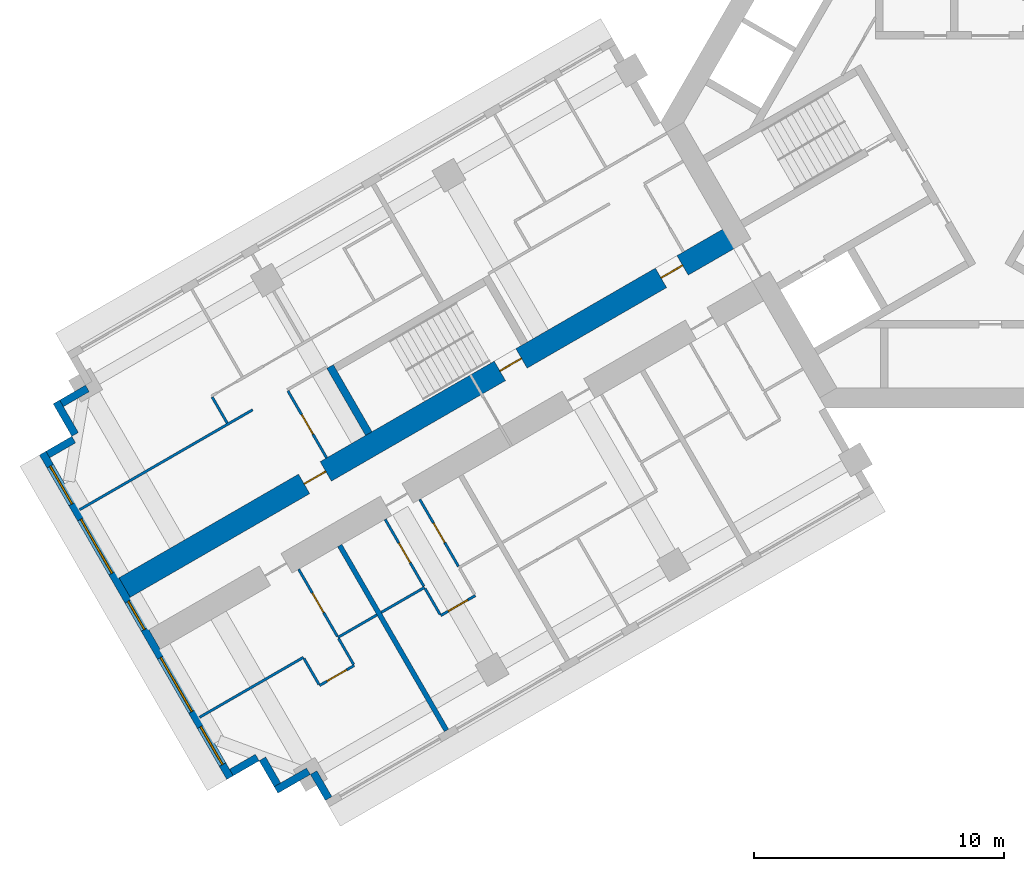
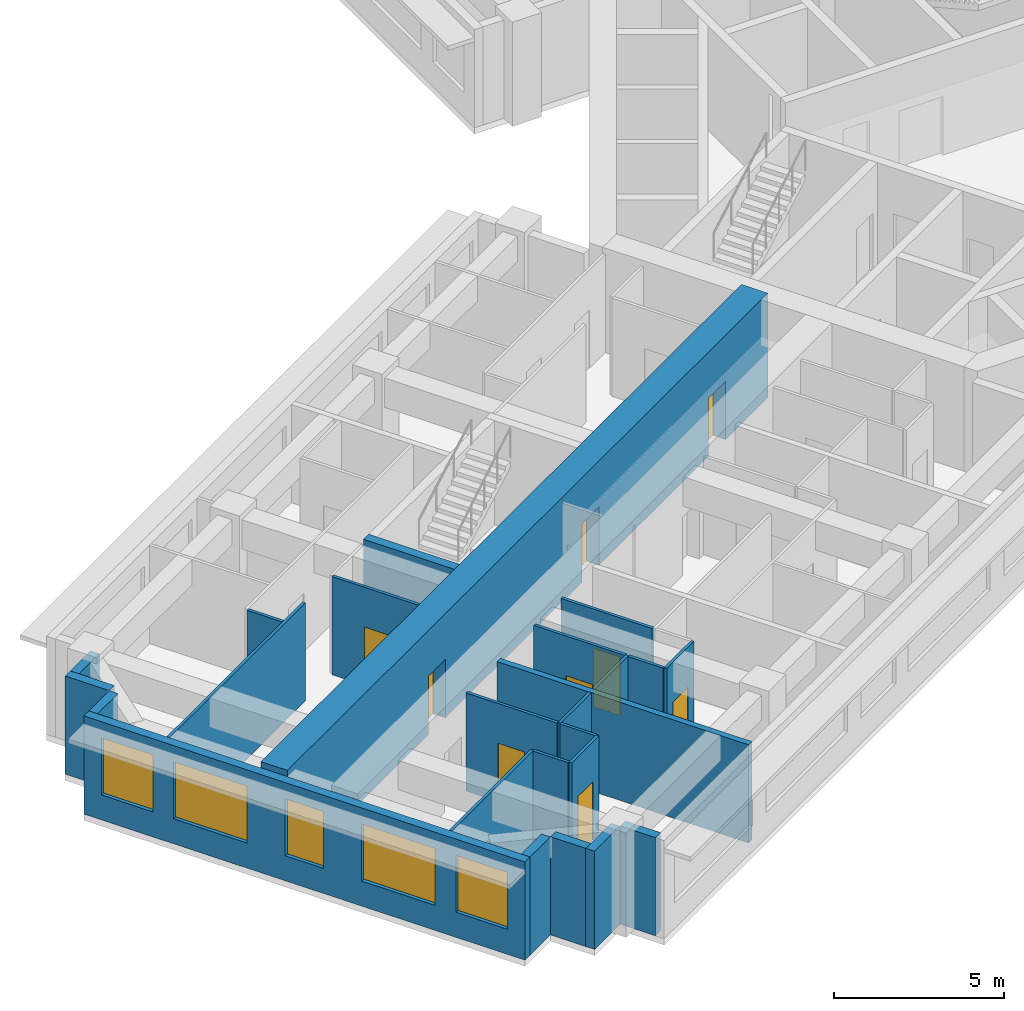
# One storey, part 2 of 12: 25 walls, 9 doors, 5 windows, 14 openings.
"""IFC4 building model written with IfcOpenShell, lengths in metres."""

from ifc_helpers import new_model, si_unit, direction, frame, frame_2d, origin, place, context, subcontext, project, spatial, rectangle, extrude, material, layer, layer_set, type_object, element, fill, save


model = new_model("IFC4")

# Units and contexts
model_context = context("Model", 3, precision=1e-05, world=origin(), true_north=direction((0.0, 1.0)))
body_context = subcontext(model_context, "Body", "Model", "MODEL_VIEW")
ifc_project = project(units=[si_unit("LENGTHUNIT", "METRE"), si_unit("AREAUNIT", "SQUARE_METRE"), si_unit("VOLUMEUNIT", "CUBIC_METRE"), si_unit("PLANEANGLEUNIT", "RADIAN"), si_unit("MASSUNIT", "GRAM", prefix="KILO")], contexts=[model_context])

# Site, building, storey
site_placement = place(None, origin())
site = spatial("IfcSite", under=ifc_project, at=site_placement, CompositionType="ELEMENT")
building_placement = place(site_placement, origin())
building = spatial("IfcBuilding", under=site, at=building_placement, Name="Impinga Residences", CompositionType="ELEMENT")
storey_placement = place(building_placement, frame((0.0, 0.0, 166.0)))
storey = spatial("IfcBuildingStorey", under=building, at=storey_placement, Name="L41", CompositionType="ELEMENT", Elevation=166.0)

# Wall, openings, doors
ifc_material_1 = material(Name="Concrete C60/75", Category="concrete")
ifc_layer_1 = layer(ifc_material_1, 0.89990234375)
ifc_layer_set_1 = layer_set([ifc_layer_1], Name="Concrete C60/75")
wall_type_1 = type_object("IfcWallType", Name="BW2 corridor buttress wall, L24 to L44 900", PredefinedType="SHEAR", material=ifc_layer_set_1)
wall_1_placement = place(storey_placement, frame((-10.153564453125, -4.4765625, 0.0), z_axis=(0.0, 0.0, 1.0), x_axis=(-0.866027127636, -0.49999701419, 0.0)))
wall_1 = element("IfcWall", 1, at=wall_1_placement, inside=storey, type_object=wall_type_1, Name="Corridor wall BW2 WD L41", PredefinedType="SHEAR", context=body_context, shape_type="SweptSolid", body=[
    extrude(rectangle(XDim=28.300048828125, YDim=0.89990234375, at=frame_2d((14.14990234375, 0.0))), origin(), (0.0, 0.0, 1.0), 3.75),
])
opening_1_placement = place(wall_1_placement, frame((9.949951171875, 0.0, 0.0)))
opening_1 = element("IfcOpeningElement", 2, at=opening_1_placement, cuts=wall_1, Name="Opening D5", PredefinedType="OPENING", context=body_context, shape_type="SweptSolid", body=[
    extrude(rectangle(XDim=1.0, YDim=2.10009765625, at=frame_2d((0.5, 1.050048828125))), frame((0.0, 0.4599609375, 0.0), z_axis=(0.0, -1.0, 0.0), x_axis=(1.0, 0.0, 0.0)), (0.0, 0.0, 1.0), 0.919921875),
])
opening_2_placement = place(wall_1_placement, frame((2.5, 0.0, 0.0)))
opening_2 = element("IfcOpeningElement", 3, at=opening_2_placement, cuts=wall_1, Name="Opening D1", PredefinedType="OPENING", context=body_context, shape_type="SweptSolid", body=[
    extrude(rectangle(XDim=1.0, YDim=2.10009765625, at=frame_2d((0.5, 1.050048828125))), frame((0.0, 0.4599609375, 0.0), z_axis=(0.0, -1.0, 0.0), x_axis=(1.0, 0.0, 0.0)), (0.0, 0.0, 1.0), 0.919921875),
])
opening_3_placement = place(wall_1_placement, frame((19.0, 0.0, 0.0)))
opening_3 = element("IfcOpeningElement", 4, at=opening_3_placement, cuts=wall_1, Name="Opening D1", PredefinedType="OPENING", context=body_context, shape_type="SweptSolid", body=[
    extrude(rectangle(XDim=1.0, YDim=2.10009765625, at=frame_2d((0.5, 1.050048828125))), frame((0.0, 0.4599609375, 0.0), z_axis=(0.0, -1.0, 0.0), x_axis=(1.0, 0.0, 0.0)), (0.0, 0.0, 1.0), 0.919921875),
])
ifc_material_2 = material(Name="Timber door set", Category="wood")
door_type_1 = type_object("IfcDoorType", Name="D1 apartment entrance door 1000x2100", OperationType="SINGLE_SWING_LEFT", PredefinedType="DOOR", material=ifc_material_2)
door_1_placement = place(opening_2_placement, origin())
door_1 = element("IfcDoor", 5, at=door_1_placement, inside=storey, type_object=door_type_1, Name="Apartment L41-WF1 entrance", OperationType="SINGLE_SWING_LEFT", OverallHeight=2.10009765625, OverallWidth=1.0, PredefinedType="DOOR", context=body_context, shape_type="SweptSolid", body=[
    extrude(rectangle(XDim=1.0, YDim=2.10009765625, at=frame_2d((0.5, 1.050048828125))), frame((0.0, 0.02490234375, 0.0), z_axis=(0.0, -1.0, 0.0), x_axis=(1.0, 0.0, 0.0)), (0.0, 0.0, 1.0), 0.050048828125),
])
fill(opening_2, door_1)
door_2_placement = place(opening_3_placement, origin())
door_2 = element("IfcDoor", 6, at=door_2_placement, inside=storey, type_object=door_type_1, Name="Apartment L41-WF2 entrance", OperationType="SINGLE_SWING_RIGHT", OverallHeight=2.10009765625, OverallWidth=1.0, PredefinedType="DOOR", context=body_context, shape_type="SweptSolid", body=[
    extrude(rectangle(XDim=1.0, YDim=2.10009765625, at=frame_2d((0.5, 1.050048828125))), frame((0.0, 0.02490234375, 0.0), z_axis=(0.0, -1.0, 0.0), x_axis=(1.0, 0.0, 0.0)), (0.0, 0.0, 1.0), 0.050048828125),
])
fill(opening_3, door_2)
door_type_2 = type_object("IfcDoorType", Name="D5 stair door 1000x2100", OperationType="SINGLE_SWING_LEFT", PredefinedType="DOOR", material=ifc_material_2)
door_3_placement = place(opening_1_placement, origin())
door_3 = element("IfcDoor", 7, at=door_3_placement, inside=storey, type_object=door_type_2, Name="Wing stair door W", OperationType="SINGLE_SWING_LEFT", OverallHeight=2.10009765625, OverallWidth=1.0, PredefinedType="DOOR", context=body_context, shape_type="SweptSolid", body=[
    extrude(rectangle(XDim=1.0, YDim=2.10009765625, at=frame_2d((0.5, 1.050048828125))), frame((0.0, 0.02490234375, 0.0), z_axis=(0.0, -1.0, 0.0), x_axis=(1.0, 0.0, 0.0)), (0.0, 0.0, 1.0), 0.050048828125),
])
fill(opening_1, door_3)

# Walls
ifc_material_3 = material(Name="Terracotta rainscreen on blockwork", Category="masonry")
ifc_layer_2 = layer(ifc_material_3, 0.300048828125)
ifc_layer_set_2 = layer_set([ifc_layer_2], Name="EW1 external wall, terracotta rainscreen on blockwork 300")
wall_type_2 = type_object("IfcWallType", Name="EW1 external wall, terracotta rainscreen on blockwork 300", PredefinedType="SOLIDWALL", material=ifc_layer_set_2)
wall_2_placement = place(storey_placement, frame((-26.493896484375, -27.07421875, 0.0), z_axis=(0.0, 0.0, 1.0), x_axis=(-0.500033551112, 0.866006032174, 0.0)))
element("IfcWall", 8, at=wall_2_placement, inside=storey, type_object=wall_type_2, Name="External wall EW1 L41", PredefinedType="SOLIDWALL", context=body_context, shape_type="SweptSolid", body=[
    extrude(rectangle(XDim=1.2001953125, YDim=0.300048828125, at=frame_2d((0.60009765625, 0.0))), origin(), (0.0, 0.0, 1.0), 3.530029296875),
])
wall_3_placement = place(storey_placement, frame((-27.30322265625, -25.982666015625, 0.0), z_axis=(0.0, 0.0, 1.0), x_axis=(-0.866074087889, -0.499915667175, 0.0)))
element("IfcWall", 9, at=wall_3_placement, inside=storey, type_object=wall_type_2, Name="External wall EW1 L41", PredefinedType="SOLIDWALL", context=body_context, shape_type="SweptSolid", body=[
    extrude(rectangle(XDim=1.494873046875, YDim=0.300048828125, at=frame_2d((0.74755859375, 0.0))), origin(), (0.0, 0.0, 1.0), 3.530029296875),
])
wall_4_placement = place(storey_placement, frame((-28.54296875, -26.525146484375, 0.0), z_axis=(0.0, 0.0, 1.0), x_axis=(-0.500033551112, 0.866006032174, 0.0)))
element("IfcWall", 10, at=wall_4_placement, inside=storey, type_object=wall_type_2, Name="External wall EW1 L41", PredefinedType="SOLIDWALL", context=body_context, shape_type="SweptSolid", body=[
    extrude(rectangle(XDim=1.2001953125, YDim=0.300048828125, at=frame_2d((0.60009765625, 0.0))), origin(), (0.0, 0.0, 1.0), 3.530029296875),
])
wall_5_placement = place(storey_placement, frame((-29.352294921875, -25.43359375, 0.0), z_axis=(0.0, 0.0, 1.0), x_axis=(-0.866059708757, -0.499940577336, 0.0)))
element("IfcWall", 11, at=wall_5_placement, inside=storey, type_object=wall_type_2, Name="External wall EW1 L41", PredefinedType="SOLIDWALL", context=body_context, shape_type="SweptSolid", body=[
    extrude(rectangle(XDim=1.195068359375, YDim=0.300048828125, at=frame_2d((0.59765625, 0.0))), origin(), (0.0, 0.0, 1.0), 3.530029296875),
])

# Wall, openings, windows
wall_6_placement = place(storey_placement, frame((-30.44189453125, -26.23583984375, 0.0), z_axis=(0.0, 0.0, 1.0), x_axis=(-0.500004234368, 0.866022959057, 0.0)))
wall_6 = element("IfcWall", 12, at=wall_6_placement, inside=storey, type_object=wall_type_2, Name="External wall EW1 L41", PredefinedType="SOLIDWALL", context=body_context, shape_type="SweptSolid", body=[
    extrude(rectangle(XDim=14.999755859375, YDim=0.300048828125, at=frame_2d((7.5, 0.0))), origin(), (0.0, 0.0, 1.0), 3.530029296875),
])
opening_4_placement = place(wall_6_placement, frame((0.60009765625, 0.0, 0.89990234375)))
opening_4 = element("IfcOpeningElement", 13, at=opening_4_placement, cuts=wall_6, Name="Opening W1", PredefinedType="OPENING", context=body_context, shape_type="SweptSolid", body=[
    extrude(rectangle(XDim=1.75, YDim=2.050048828125, at=frame_2d((0.875, 1.02490234375))), frame((0.0, 0.159912109375, 0.0), z_axis=(0.0, -1.0, 0.0), x_axis=(1.0, 0.0, 0.0)), (0.0, 0.0, 1.0), 0.320068359375),
])
opening_5_placement = place(wall_6_placement, frame((3.050048828125, 0.0, 0.89990234375)))
opening_5 = element("IfcOpeningElement", 14, at=opening_5_placement, cuts=wall_6, Name="Opening W2", PredefinedType="OPENING", context=body_context, shape_type="SweptSolid", body=[
    extrude(rectangle(XDim=2.5, YDim=2.050048828125, at=frame_2d((1.25, 1.02490234375))), frame((0.0, 0.159912109375, 0.0), z_axis=(0.0, -1.0, 0.0), x_axis=(1.0, 0.0, 0.0)), (0.0, 0.0, 1.0), 0.320068359375),
])
opening_6_placement = place(wall_6_placement, frame((6.85009765625, 0.0, 0.89990234375)))
opening_6 = element("IfcOpeningElement", 15, at=opening_6_placement, cuts=wall_6, Name="Opening WE1", PredefinedType="OPENING", context=body_context, shape_type="SweptSolid", body=[
    extrude(rectangle(XDim=1.300048828125, YDim=2.050048828125, at=frame_2d((0.64990234375, 1.02490234375))), frame((0.0, 0.159912109375, 0.0), z_axis=(0.0, -1.0, 0.0), x_axis=(1.0, 0.0, 0.0)), (0.0, 0.0, 1.0), 0.320068359375),
])
opening_7_placement = place(wall_6_placement, frame((9.449951171875, 0.0, 0.89990234375)))
opening_7 = element("IfcOpeningElement", 16, at=opening_7_placement, cuts=wall_6, Name="Opening W2", PredefinedType="OPENING", context=body_context, shape_type="SweptSolid", body=[
    extrude(rectangle(XDim=2.5, YDim=2.050048828125, at=frame_2d((1.25, 1.02490234375))), frame((0.0, 0.159912109375, 0.0), z_axis=(0.0, -1.0, 0.0), x_axis=(1.0, 0.0, 0.0)), (0.0, 0.0, 1.0), 0.320068359375),
])
opening_8_placement = place(wall_6_placement, frame((12.64990234375, 0.0, 0.89990234375)))
opening_8 = element("IfcOpeningElement", 17, at=opening_8_placement, cuts=wall_6, Name="Opening W1", PredefinedType="OPENING", context=body_context, shape_type="SweptSolid", body=[
    extrude(rectangle(XDim=1.75, YDim=2.050048828125, at=frame_2d((0.875, 1.02490234375))), frame((0.0, 0.159912109375, 0.0), z_axis=(0.0, -1.0, 0.0), x_axis=(1.0, 0.0, 0.0)), (0.0, 0.0, 1.0), 0.320068359375),
])
ifc_material_4 = material(Name="Aluminium window, clear double glazing", Category="aluminium")
window_type_1 = type_object("IfcWindowType", Name="W1 ribbon window 1750x2050", PartitioningType="SINGLE_PANEL", PredefinedType="WINDOW", material=ifc_material_4)
window_1_placement = place(opening_4_placement, origin())
window_1 = element("IfcWindow", 18, at=window_1_placement, inside=storey, type_object=window_type_1, Name="Window L41", OverallHeight=2.050048828125, OverallWidth=1.75, PartitioningType="SINGLE_PANEL", PredefinedType="WINDOW", context=body_context, shape_type="SweptSolid", body=[
    extrude(rectangle(XDim=1.75, YDim=2.050048828125, at=frame_2d((0.875, 1.02490234375))), frame((0.0, 0.030029296875, 0.0), z_axis=(0.0, -1.0, 0.0), x_axis=(1.0, 0.0, 0.0)), (0.0, 0.0, 1.0), 0.06005859375),
])
fill(opening_4, window_1)
window_2_placement = place(opening_8_placement, origin())
window_2 = element("IfcWindow", 19, at=window_2_placement, inside=storey, type_object=window_type_1, Name="Window L41", OverallHeight=2.050048828125, OverallWidth=1.75, PartitioningType="SINGLE_PANEL", PredefinedType="WINDOW", context=body_context, shape_type="SweptSolid", body=[
    extrude(rectangle(XDim=1.75, YDim=2.050048828125, at=frame_2d((0.875, 1.02490234375))), frame((0.0, 0.030029296875, 0.0), z_axis=(0.0, -1.0, 0.0), x_axis=(1.0, 0.0, 0.0)), (0.0, 0.0, 1.0), 0.06005859375),
])
fill(opening_8, window_2)
window_type_2 = type_object("IfcWindowType", Name="W2 ribbon window 2500x2050", PartitioningType="SINGLE_PANEL", PredefinedType="WINDOW", material=ifc_material_4)
window_3_placement = place(opening_5_placement, origin())
window_3 = element("IfcWindow", 20, at=window_3_placement, inside=storey, type_object=window_type_2, Name="Window L41", OverallHeight=2.050048828125, OverallWidth=2.5, PartitioningType="SINGLE_PANEL", PredefinedType="WINDOW", context=body_context, shape_type="SweptSolid", body=[
    extrude(rectangle(XDim=2.5, YDim=2.050048828125, at=frame_2d((1.25, 1.02490234375))), frame((0.0, 0.030029296875, 0.0), z_axis=(0.0, -1.0, 0.0), x_axis=(1.0, 0.0, 0.0)), (0.0, 0.0, 1.0), 0.06005859375),
])
fill(opening_5, window_3)
window_4_placement = place(opening_7_placement, origin())
window_4 = element("IfcWindow", 21, at=window_4_placement, inside=storey, type_object=window_type_2, Name="Window L41", OverallHeight=2.050048828125, OverallWidth=2.5, PartitioningType="SINGLE_PANEL", PredefinedType="WINDOW", context=body_context, shape_type="SweptSolid", body=[
    extrude(rectangle(XDim=2.5, YDim=2.050048828125, at=frame_2d((1.25, 1.02490234375))), frame((0.0, 0.030029296875, 0.0), z_axis=(0.0, -1.0, 0.0), x_axis=(1.0, 0.0, 0.0)), (0.0, 0.0, 1.0), 0.06005859375),
])
fill(opening_7, window_4)
window_type_3 = type_object("IfcWindowType", Name="WE1 corridor window 1300x2050", PartitioningType="SINGLE_PANEL", PredefinedType="WINDOW", material=ifc_material_4)
window_5_placement = place(opening_6_placement, origin())
window_5 = element("IfcWindow", 22, at=window_5_placement, inside=storey, type_object=window_type_3, Name="Window L41", OverallHeight=2.050048828125, OverallWidth=1.300048828125, PartitioningType="SINGLE_PANEL", PredefinedType="WINDOW", context=body_context, shape_type="SweptSolid", body=[
    extrude(rectangle(XDim=1.300048828125, YDim=2.050048828125, at=frame_2d((0.64990234375, 1.02490234375))), frame((0.0, 0.030029296875, 0.0), z_axis=(0.0, -1.0, 0.0), x_axis=(1.0, 0.0, 0.0)), (0.0, 0.0, 1.0), 0.06005859375),
])
fill(opening_6, window_5)

# Walls
wall_7_placement = place(storey_placement, frame((-37.737060546875, -13.300537109375, 0.0), z_axis=(0.0, 0.0, 1.0), x_axis=(0.865971243484, 0.500093796661, 0.0)))
element("IfcWall", 23, at=wall_7_placement, inside=storey, type_object=wall_type_2, Name="External wall EW1 L41", PredefinedType="SOLIDWALL", context=body_context, shape_type="SweptSolid", body=[
    extrude(rectangle(XDim=1.195068359375, YDim=0.300048828125, at=frame_2d((0.59765625, 0.0))), origin(), (0.0, 0.0, 1.0), 3.530029296875),
])
wall_8_placement = place(storey_placement, frame((-36.64306640625, -12.49560546875, 0.0), z_axis=(0.0, 0.0, 1.0), x_axis=(-0.499990139034, 0.866031096941, 0.0)))
element("IfcWall", 24, at=wall_8_placement, inside=storey, type_object=wall_type_2, Name="External wall EW1 L41", PredefinedType="SOLIDWALL", context=body_context, shape_type="SweptSolid", body=[
    extrude(rectangle(XDim=1.5, YDim=0.300048828125, at=frame_2d((0.75, 0.0))), origin(), (0.0, 0.0, 1.0), 3.530029296875),
])
wall_9_placement = place(storey_placement, frame((-37.18798828125, -11.25146484375, 0.0), z_axis=(0.0, 0.0, 1.0), x_axis=(0.866059708757, 0.499940577336, 0.0)))
element("IfcWall", 25, at=wall_9_placement, inside=storey, type_object=wall_type_2, Name="External wall EW1 L41", PredefinedType="SOLIDWALL", context=body_context, shape_type="SweptSolid", body=[
    extrude(rectangle(XDim=1.195068359375, YDim=0.300048828125, at=frame_2d((0.59765625, 0.0))), origin(), (0.0, 0.0, 1.0), 3.530029296875),
])
ifc_material_5 = material(Name="Gypsum board on steel studs", Category="steel")
ifc_layer_3 = layer(ifc_material_5, 0.10009765625)
ifc_layer_set_3 = layer_set([ifc_layer_3], Name="Gypsum board on steel studs")
wall_type_3 = type_object("IfcWallType", Name="IP1 partition 100", PredefinedType="PARTITIONING", material=ifc_layer_set_3)
wall_10_placement = place(storey_placement, frame((-22.655517578125, -18.622802734375, 0.0), z_axis=(0.0, 0.0, 1.0), x_axis=(-0.866010750942, -0.50002537861, 0.0)))
element("IfcWall", 26, at=wall_10_placement, inside=storey, type_object=wall_type_3, Name="Partition L41-WA3:DIV1", PredefinedType="PARTITIONING", context=body_context, shape_type="SweptSolid", body=[
    extrude(rectangle(XDim=2.0, YDim=0.10009765625, at=frame_2d((1.0, 0.0))), origin(), (0.0, 0.0, 1.0), 3.530029296875),
])

# Wall, opening, door
wall_11_placement = place(storey_placement, frame((-20.619873046875, -18.948486328125, 0.0), z_axis=(0.0, 0.0, 1.0), x_axis=(-0.865989903783, -0.500061482766, 0.0)))
wall_11 = element("IfcWall", 27, at=wall_11_placement, inside=storey, type_object=wall_type_3, Name="Partition L41-WA3:STRIP", PredefinedType="PARTITIONING", context=body_context, shape_type="SweptSolid", body=[
    extrude(rectangle(XDim=1.599853515625, YDim=0.10009765625, at=frame_2d((0.7998046875, 0.0))), origin(), (0.0, 0.0, 1.0), 3.530029296875),
])
opening_9_placement = place(wall_11_placement, frame((0.35009765625, 0.0, 0.0)))
opening_9 = element("IfcOpeningElement", 28, at=opening_9_placement, cuts=wall_11, Name="Opening D2", PredefinedType="OPENING", context=body_context, shape_type="SweptSolid", body=[
    extrude(rectangle(XDim=0.89990234375, YDim=2.10009765625, at=frame_2d((0.449951171875, 1.050048828125))), frame((0.0, 0.06005859375, 0.0), z_axis=(0.0, -1.0, 0.0), x_axis=(1.0, 0.0, 0.0)), (0.0, 0.0, 1.0), 0.1201171875),
])
door_type_3 = type_object("IfcDoorType", Name="D2 internal door 900x2100", OperationType="SINGLE_SWING_LEFT", PredefinedType="DOOR", material=ifc_material_2)
door_4_placement = place(opening_9_placement, origin())
door_4 = element("IfcDoor", 29, at=door_4_placement, inside=storey, type_object=door_type_3, Name="Apartment L41-WA3 room door", OperationType="SINGLE_SWING_LEFT", OverallHeight=2.10009765625, OverallWidth=0.89990234375, PredefinedType="DOOR", context=body_context, shape_type="SweptSolid", body=[
    extrude(rectangle(XDim=0.89990234375, YDim=2.10009765625, at=frame_2d((0.449951171875, 1.050048828125))), frame((0.0, 0.02490234375, 0.0), z_axis=(0.0, -1.0, 0.0), x_axis=(1.0, 0.0, 0.0)), (0.0, 0.0, 1.0), 0.050048828125),
])
fill(opening_9, door_4)

# Wall
wall_12_placement = place(storey_placement, frame((-22.63037109375, -18.666015625, 0.0), z_axis=(0.0, 0.0, 1.0), x_axis=(0.499880961361, -0.866094119867, 0.0)))
element("IfcWall", 30, at=wall_12_placement, inside=storey, type_object=wall_type_3, Name="Partition L41-WA3:SE1", PredefinedType="PARTITIONING", context=body_context, shape_type="SweptSolid", body=[
    extrude(rectangle(XDim=1.199951171875, YDim=0.10009765625, at=frame_2d((0.60009765625, 0.0))), origin(), (0.0, 0.0, 1.0), 3.530029296875),
])

# Wall, opening, door
wall_13_placement = place(storey_placement, frame((-22.8447265625, -15.0947265625, 0.0), z_axis=(0.0, 0.0, 1.0), x_axis=(0.499967891604, -0.866043940782, 0.0)))
wall_13 = element("IfcWall", 31, at=wall_13_placement, inside=storey, type_object=wall_type_3, Name="Partition L41-WA3:IB1", PredefinedType="PARTITIONING", context=body_context, shape_type="SweptSolid", body=[
    extrude(rectangle(XDim=3.099853515625, YDim=0.10009765625, at=frame_2d((1.5498046875, 0.0))), origin(), (0.0, 0.0, 1.0), 3.530029296875),
])
opening_10_placement = place(wall_13_placement, frame((1.10009765625, 0.0, 0.0)))
opening_10 = element("IfcOpeningElement", 32, at=opening_10_placement, cuts=wall_13, Name="Opening D2", PredefinedType="OPENING", context=body_context, shape_type="SweptSolid", body=[
    extrude(rectangle(XDim=0.89990234375, YDim=2.10009765625, at=frame_2d((0.449951171875, 1.050048828125))), frame((0.0, 0.06005859375, 0.0), z_axis=(0.0, -1.0, 0.0), x_axis=(1.0, 0.0, 0.0)), (0.0, 0.0, 1.0), 0.1201171875),
])
door_5_placement = place(opening_10_placement, origin())
door_5 = element("IfcDoor", 33, at=door_5_placement, inside=storey, type_object=door_type_3, Name="Apartment L41-WA3 bathroom door", OperationType="SINGLE_SWING_LEFT", OverallHeight=2.10009765625, OverallWidth=0.89990234375, PredefinedType="DOOR", context=body_context, shape_type="SweptSolid", body=[
    extrude(rectangle(XDim=0.89990234375, YDim=2.10009765625, at=frame_2d((0.449951171875, 1.050048828125))), frame((0.0, 0.02490234375, 0.0), z_axis=(0.0, -1.0, 0.0), x_axis=(1.0, 0.0, 0.0)), (0.0, 0.0, 1.0), 0.050048828125),
])
fill(opening_10, door_5)

wall_14_placement = place(storey_placement, frame((-24.23046875, -15.894775390625, 0.0), z_axis=(0.0, 0.0, 1.0), x_axis=(0.500026960575, -0.86600983753, 0.0)))
wall_14 = element("IfcWall", 34, at=wall_14_placement, inside=storey, type_object=wall_type_3, Name="Partition L41-WA3:IB2", PredefinedType="PARTITIONING", context=body_context, shape_type="SweptSolid", body=[
    extrude(rectangle(XDim=3.099853515625, YDim=0.10009765625, at=frame_2d((1.5498046875, 0.0))), origin(), (0.0, 0.0, 1.0), 3.530029296875),
])
opening_11_placement = place(wall_14_placement, frame((1.10009765625, 0.0, 0.0)))
opening_11 = element("IfcOpeningElement", 35, at=opening_11_placement, cuts=wall_14, Name="Opening D2", PredefinedType="OPENING", context=body_context, shape_type="SweptSolid", body=[
    extrude(rectangle(XDim=0.89990234375, YDim=2.10009765625, at=frame_2d((0.449951171875, 1.050048828125))), frame((0.0, 0.06005859375, 0.0), z_axis=(0.0, -1.0, 0.0), x_axis=(1.0, 0.0, 0.0)), (0.0, 0.0, 1.0), 0.1201171875),
])
door_6_placement = place(opening_11_placement, origin())
door_6 = element("IfcDoor", 36, at=door_6_placement, inside=storey, type_object=door_type_3, Name="Apartment L41-WA3 WC door", OperationType="SINGLE_SWING_LEFT", OverallHeight=2.10009765625, OverallWidth=0.89990234375, PredefinedType="DOOR", context=body_context, shape_type="SweptSolid", body=[
    extrude(rectangle(XDim=0.89990234375, YDim=2.10009765625, at=frame_2d((0.449951171875, 1.050048828125))), frame((0.0, 0.02490234375, 0.0), z_axis=(0.0, -1.0, 0.0), x_axis=(1.0, 0.0, 0.0)), (0.0, 0.0, 1.0), 0.050048828125),
])
fill(opening_11, door_6)

# Walls
wall_15_placement = place(storey_placement, frame((-24.560791015625, -19.72265625, 0.0), z_axis=(0.0, 0.0, 1.0), x_axis=(-0.865989075817, -0.500062916607, 0.0)))
element("IfcWall", 37, at=wall_15_placement, inside=storey, type_object=wall_type_3, Name="Partition L41-WA4:DIV0", PredefinedType="PARTITIONING", context=body_context, shape_type="SweptSolid", body=[
    extrude(rectangle(XDim=1.800048828125, YDim=0.10009765625, at=frame_2d((0.89990234375, 0.0))), origin(), (0.0, 0.0, 1.0), 3.530029296875),
])
wall_16_placement = place(storey_placement, frame((-27.505126953125, -21.422607421875, 0.0), z_axis=(0.0, 0.0, 1.0), x_axis=(-0.866015339567, -0.500017431331, 0.0)))
element("IfcWall", 38, at=wall_16_placement, inside=storey, type_object=wall_type_3, Name="Partition L41-WA4:DIV1", PredefinedType="PARTITIONING", context=body_context, shape_type="SweptSolid", body=[
    extrude(rectangle(XDim=4.800048828125, YDim=0.10009765625, at=frame_2d((2.39990234375, 0.0))), origin(), (0.0, 0.0, 1.0), 3.530029296875),
])

# Wall, opening, door
wall_17_placement = place(storey_placement, frame((-25.469482421875, -21.74853515625, 0.0), z_axis=(0.0, 0.0, 1.0), x_axis=(-0.866028054938, -0.499995408039, 0.0)))
wall_17 = element("IfcWall", 39, at=wall_17_placement, inside=storey, type_object=wall_type_3, Name="Partition L41-WA4:STRIP", PredefinedType="PARTITIONING", context=body_context, shape_type="SweptSolid", body=[
    extrude(rectangle(XDim=1.60009765625, YDim=0.10009765625, at=frame_2d((0.800048828125, 0.0))), origin(), (0.0, 0.0, 1.0), 3.530029296875),
])
opening_12_placement = place(wall_17_placement, frame((0.35009765625, 0.0, 0.0)))
opening_12 = element("IfcOpeningElement", 40, at=opening_12_placement, cuts=wall_17, Name="Opening D2", PredefinedType="OPENING", context=body_context, shape_type="SweptSolid", body=[
    extrude(rectangle(XDim=0.89990234375, YDim=2.10009765625, at=frame_2d((0.449951171875, 1.050048828125))), frame((0.0, 0.06005859375, 0.0), z_axis=(0.0, -1.0, 0.0), x_axis=(1.0, 0.0, 0.0)), (0.0, 0.0, 1.0), 0.1201171875),
])
door_7_placement = place(opening_12_placement, origin())
door_7 = element("IfcDoor", 41, at=door_7_placement, inside=storey, type_object=door_type_3, Name="Apartment L41-WA4 room door", OperationType="SINGLE_SWING_LEFT", OverallHeight=2.10009765625, OverallWidth=0.89990234375, PredefinedType="DOOR", context=body_context, shape_type="SweptSolid", body=[
    extrude(rectangle(XDim=0.89990234375, YDim=2.10009765625, at=frame_2d((0.449951171875, 1.050048828125))), frame((0.0, 0.02490234375, 0.0), z_axis=(0.0, -1.0, 0.0), x_axis=(1.0, 0.0, 0.0)), (0.0, 0.0, 1.0), 0.050048828125),
])
fill(opening_12, door_7)

# Walls
for number, where, z_axis, x_axis, name in (
    (42, (-26.094482421875, -20.666015625, 0.0), (0.0, 0.0, 1.0), (0.499880961361, -0.866094119867, 0.0), "Partition L41-WA4:SE0"),
    (43, (-27.480224609375, -21.466064453125, 0.0), (0.0, 0.0, 1.0), (0.50012165622, -0.865955154139, 0.0), "Partition L41-WA4:SE1"),
):
    element("IfcWall", number, at=place(storey_placement, frame(where, z_axis=z_axis, x_axis=x_axis)), inside=storey, type_object=wall_type_3, Name=name, PredefinedType="PARTITIONING", context=body_context, shape_type="SweptSolid", body=[
        extrude(rectangle(XDim=1.199951171875, YDim=0.10009765625, at=frame_2d((0.60009765625, 0.0))), origin(), (0.0, 0.0, 1.0), 3.530029296875),
    ])

# Wall, opening, door
wall_18_placement = place(storey_placement, frame((-27.694580078125, -17.894775390625, 0.0), z_axis=(0.0, 0.0, 1.0), x_axis=(0.500026960575, -0.86600983753, 0.0)))
wall_18 = element("IfcWall", 44, at=wall_18_placement, inside=storey, type_object=wall_type_3, Name="Partition L41-WA4:IB1", PredefinedType="PARTITIONING", context=body_context, shape_type="SweptSolid", body=[
    extrude(rectangle(XDim=3.099853515625, YDim=0.10009765625, at=frame_2d((1.5498046875, 0.0))), origin(), (0.0, 0.0, 1.0), 3.530029296875),
])
opening_13_placement = place(wall_18_placement, frame((1.10009765625, 0.0, 0.0)))
opening_13 = element("IfcOpeningElement", 45, at=opening_13_placement, cuts=wall_18, Name="Opening D2", PredefinedType="OPENING", context=body_context, shape_type="SweptSolid", body=[
    extrude(rectangle(XDim=0.89990234375, YDim=2.10009765625, at=frame_2d((0.449951171875, 1.050048828125))), frame((0.0, 0.06005859375, 0.0), z_axis=(0.0, -1.0, 0.0), x_axis=(1.0, 0.0, 0.0)), (0.0, 0.0, 1.0), 0.1201171875),
])
door_8_placement = place(opening_13_placement, origin())
door_8 = element("IfcDoor", 46, at=door_8_placement, inside=storey, type_object=door_type_3, Name="Apartment L41-WA4 bathroom door", OperationType="SINGLE_SWING_LEFT", OverallHeight=2.10009765625, OverallWidth=0.89990234375, PredefinedType="DOOR", context=body_context, shape_type="SweptSolid", body=[
    extrude(rectangle(XDim=0.89990234375, YDim=2.10009765625, at=frame_2d((0.449951171875, 1.050048828125))), frame((0.0, 0.02490234375, 0.0), z_axis=(0.0, -1.0, 0.0), x_axis=(1.0, 0.0, 0.0)), (0.0, 0.0, 1.0), 0.050048828125),
])
fill(opening_13, door_8)

# Walls
wall_19_placement = place(storey_placement, frame((-29.533935546875, -11.5087890625, 0.0), z_axis=(0.0, 0.0, 1.0), x_axis=(-0.866026010844, -0.49999894854, 0.0)))
element("IfcWall", 47, at=wall_19_placement, inside=storey, type_object=wall_type_3, Name="Partition L41-WF2:DIV1", PredefinedType="PARTITIONING", context=body_context, shape_type="SweptSolid", body=[
    extrude(rectangle(XDim=8.0, YDim=0.10009765625, at=frame_2d((4.0, 0.0))), origin(), (0.0, 0.0, 1.0), 3.530029296875),
])
wall_20_placement = place(storey_placement, frame((-30.554931640625, -12.04052734375, 0.0), z_axis=(0.0, 0.0, 1.0), x_axis=(-0.499880961361, 0.866094119867, 0.0)))
element("IfcWall", 48, at=wall_20_placement, inside=storey, type_object=wall_type_3, Name="Partition L41-WF2:SE1", PredefinedType="PARTITIONING", context=body_context, shape_type="SweptSolid", body=[
    extrude(rectangle(XDim=1.199951171875, YDim=0.10009765625, at=frame_2d((0.60009765625, 0.0))), origin(), (0.0, 0.0, 1.0), 3.530029296875),
])

# Wall, opening, door
wall_21_placement = place(storey_placement, frame((-26.5732421875, -13.436767578125, 0.0), z_axis=(0.0, 0.0, 1.0), x_axis=(-0.500026960575, 0.86600983753, 0.0)))
wall_21 = element("IfcWall", 49, at=wall_21_placement, inside=storey, type_object=wall_type_3, Name="Partition L41-WF2:IB1", PredefinedType="PARTITIONING", context=body_context, shape_type="SweptSolid", body=[
    extrude(rectangle(XDim=3.099853515625, YDim=0.10009765625, at=frame_2d((1.5498046875, 0.0))), origin(), (0.0, 0.0, 1.0), 3.530029296875),
])
opening_14_placement = place(wall_21_placement, frame((1.10009765625, 0.0, 0.0)))
opening_14 = element("IfcOpeningElement", 50, at=opening_14_placement, cuts=wall_21, Name="Opening D2", PredefinedType="OPENING", context=body_context, shape_type="SweptSolid", body=[
    extrude(rectangle(XDim=0.89990234375, YDim=2.10009765625, at=frame_2d((0.449951171875, 1.050048828125))), frame((0.0, 0.06005859375, 0.0), z_axis=(0.0, -1.0, 0.0), x_axis=(1.0, 0.0, 0.0)), (0.0, 0.0, 1.0), 0.1201171875),
])
door_9_placement = place(opening_14_placement, origin())
door_9 = element("IfcDoor", 51, at=door_9_placement, inside=storey, type_object=door_type_3, Name="Apartment L41-WF2 bathroom door", OperationType="SINGLE_SWING_LEFT", OverallHeight=2.10009765625, OverallWidth=0.89990234375, PredefinedType="DOOR", context=body_context, shape_type="SweptSolid", body=[
    extrude(rectangle(XDim=0.89990234375, YDim=2.10009765625, at=frame_2d((0.449951171875, 1.050048828125))), frame((0.0, 0.02490234375, 0.0), z_axis=(0.0, -1.0, 0.0), x_axis=(1.0, 0.0, 0.0)), (0.0, 0.0, 1.0), 0.050048828125),
])
fill(opening_14, door_9)

# Walls
ifc_material_6 = material(Name="Concrete blockwork", Category="masonry")
ifc_layer_4 = layer(ifc_material_6, 0.199951171875)
ifc_layer_set_4 = layer_set([ifc_layer_4], Name="PW1 party wall between apartments 200")
wall_type_4 = type_object("IfcWallType", Name="PW1 party wall between apartments 200", PredefinedType="SOLIDWALL", material=ifc_layer_set_4)
wall_22_placement = place(storey_placement, frame((-26.049072265625, -16.94482421875, 0.0), z_axis=(0.0, 0.0, 1.0), x_axis=(0.500002592159, -0.866023907196, 0.0)))
element("IfcWall", 52, at=wall_22_placement, inside=storey, type_object=wall_type_4, Name="Party wall between apartments L41-WA3:PARTY", PredefinedType="SOLIDWALL", context=body_context, shape_type="SweptSolid", body=[
    extrude(rectangle(XDim=8.5498046875, YDim=0.199951171875, at=frame_2d((4.27490234375, 0.0))), origin(), (0.0, 0.0, 1.0), 3.530029296875),
])
ifc_layer_5 = layer(ifc_material_1, 0.300048828125)
ifc_layer_set_5 = layer_set([ifc_layer_5], Name="Concrete C60/75")
wall_type_5 = type_object("IfcWallType", Name="SE1 wing stair enclosure wall 300", PredefinedType="SOLIDWALL", material=ifc_layer_set_5)
wall_23_placement = place(storey_placement, frame((-24.884521484375, -12.4619140625, 0.0), z_axis=(0.0, 0.0, 1.0), x_axis=(-0.49999285859, 0.86602952684, 0.0)))
element("IfcWall", 53, at=wall_23_placement, inside=storey, type_object=wall_type_5, Name="Stair enclosure wall SE1 W END1 L41", PredefinedType="SOLIDWALL", context=body_context, shape_type="SweptSolid", body=[
    extrude(rectangle(XDim=3.10009765625, YDim=0.300048828125, at=frame_2d((1.550048828125, 0.0))), origin(), (0.0, 0.0, 1.0), 3.75),
])

save(model, "model.ifc")
